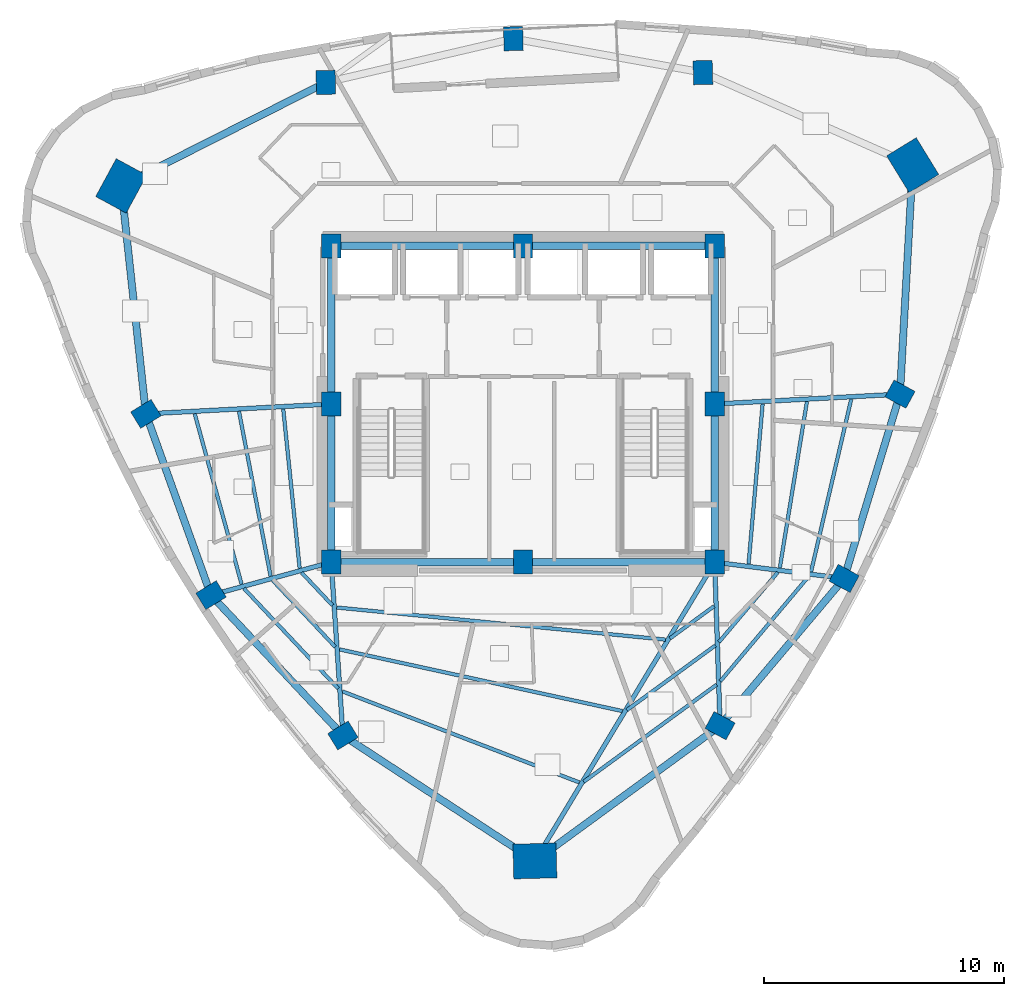
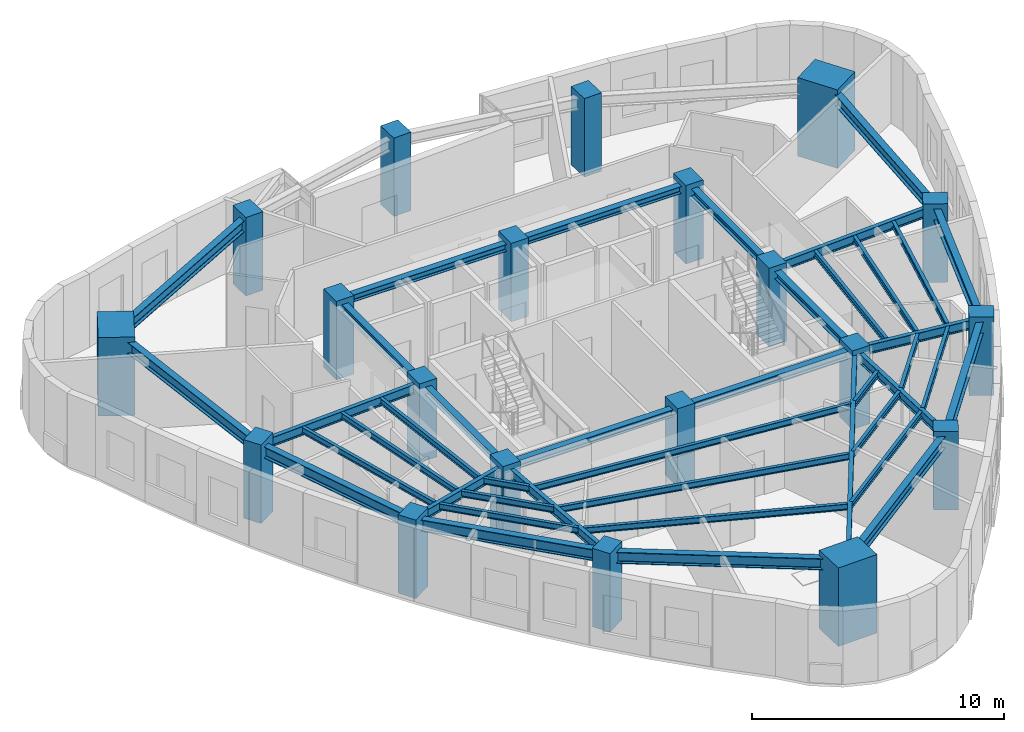
# One storey, part 1 of 11: 41 beams, 20 columns.
"""IFC4 building model written with IfcOpenShell, lengths in metres."""

from ifc_helpers import new_model, si_unit, direction, frame, origin, origin_2d, place, context, subcontext, project, spatial, rectangle, i_section, extrude, material, material_profile, profile_set, type_object, element, save


model = new_model("IFC4")

# Units and contexts
model_context = context("Model", 3, precision=1e-05, world=origin(), true_north=direction((0.0, 1.0)))
body_context = subcontext(model_context, "Body", "Model", "MODEL_VIEW")
ifc_project = project(units=[si_unit("LENGTHUNIT", "METRE"), si_unit("AREAUNIT", "SQUARE_METRE"), si_unit("VOLUMEUNIT", "CUBIC_METRE"), si_unit("PLANEANGLEUNIT", "RADIAN"), si_unit("MASSUNIT", "GRAM", prefix="KILO")], contexts=[model_context])

# Site, building, storey
site_placement = place(None, origin())
site = spatial("IfcSite", under=ifc_project, at=site_placement, CompositionType="ELEMENT")
building_placement = place(site_placement, origin())
building = spatial("IfcBuilding", under=site, at=building_placement, Name="Ndelora Gate Hotel", CompositionType="ELEMENT")
storey_placement = place(building_placement, frame((0.0, 0.0, 224.550048828125)))
storey = spatial("IfcBuildingStorey", under=building, at=storey_placement, Name="L56", CompositionType="ELEMENT", Elevation=224.550048828125)

# Columns
ifc_material_1 = material(Name="Concrete C50/60", Category="concrete")
ifc_material_profile_1 = material_profile(ifc_material_1, rectangle(XDim=0.800048828125, YDim=1.0, at=origin_2d()), Name="RC 1000x800")
ifc_profile_set_1 = profile_set([ifc_material_profile_1], Name="Concrete C50/60")
column_type_1 = type_object("IfcColumnType", Name="COL-CC-HI", PredefinedType="COLUMN", material=ifc_profile_set_1)
for number, where, z_axis, x_axis, name in (
    (1, (-8.0, -6.60009765625, 0.0), (0.0, 0.0, 1.0), (1.0, 0.0, 0.0), "L56 Core Column CC1"),
    (2, (0.0, -6.60009765625, 0.0), (0.0, 0.0, 1.0), (1.0, 0.0, 0.0), "L56 Core Column CC2"),
    (3, (8.0, -6.60009765625, 0.0), (0.0, 0.0, 1.0), (1.0, 0.0, 0.0), "L56 Core Column CC3"),
    (4, (8.0, 0.0, 0.0), (0.0, 0.0, 1.0), (1.0, 0.0, 0.0), "L56 Core Column CC4"),
    (5, (8.0, 6.60009765625, 0.0), (0.0, 0.0, 1.0), (1.0, 0.0, 0.0), "L56 Core Column CC5"),
    (6, (0.0, 6.60009765625, 0.0), (0.0, 0.0, 1.0), (1.0, 0.0, 0.0), "L56 Core Column CC6"),
    (7, (-8.0, 6.60009765625, 0.0), (0.0, 0.0, 1.0), (1.0, 0.0, 0.0), "L56 Core Column CC7"),
    (8, (-8.0, 0.0, 0.0), (0.0, 0.0, 1.0), (1.0, 0.0, 0.0), "L56 Core Column CC8"),
):
    element("IfcColumn", number, at=place(storey_placement, frame(where, z_axis=z_axis, x_axis=x_axis)), inside=storey, type_object=column_type_1, Name=name, PredefinedType="COLUMN", context=body_context, shape_type="SweptSolid", body=[
        extrude(rectangle(XDim=0.800048828125, YDim=1.0, at=origin_2d()), origin(), (0.0, 0.0, 1.0), 3.800048828125),
    ])
ifc_material_profile_2 = material_profile(ifc_material_1, rectangle(XDim=1.449951171875, YDim=1.800048828125, at=origin_2d()), Name="RC 1800x1450")
ifc_profile_set_2 = profile_set([ifc_material_profile_2], Name="Concrete C50/60")
column_type_2 = type_object("IfcColumnType", Name="COL-MC-Z3", PredefinedType="COLUMN", material=ifc_profile_set_2)
for number, where, z_axis, x_axis, name in (
    (9, (-16.759521484375, 9.099609375, 0.0), (0.0, 0.0, 1.0), (-0.878817112662, 0.47715876026, 0.0), "L56 Corner Mega-Column R1"),
    (10, (0.499267578125, -19.064208984375, 0.0), (0.0, 0.0, 1.0), (-0.026176948308, 0.999657324976, 0.0), "L56 Corner Mega-Column R5"),
    (11, (16.26025390625, 9.96435546875, 0.0), (0.0, 0.0, 1.0), (0.852640164354, 0.522498564716, 0.0), "L56 Corner Mega-Column R9"),
):
    element("IfcColumn", number, at=place(storey_placement, frame(where, z_axis=z_axis, x_axis=x_axis)), inside=storey, type_object=column_type_2, Name=name, PredefinedType="COLUMN", context=body_context, shape_type="SweptSolid", body=[
        extrude(rectangle(XDim=1.449951171875, YDim=1.800048828125, at=origin_2d()), origin(), (0.0, 0.0, 1.0), 3.800048828125),
    ])
ifc_material_profile_3 = material_profile(ifc_material_1, rectangle(XDim=0.800048828125, YDim=1.0, at=origin_2d()), Name="RC 1000x800")
ifc_profile_set_3 = profile_set([ifc_material_profile_3], Name="Concrete C50/60")
column_type_3 = type_object("IfcColumnType", Name="COL-PT-Z3", PredefinedType="COLUMN", material=ifc_profile_set_3)
for number, where, z_axis, x_axis, name in (
    (12, (-15.72998046875, -0.411865234375, 0.0), (0.0, 0.0, 1.0), (-0.522498564716, 0.852640164354, 0.0), "L56 Perimeter Tube Column R2"),
    (13, (-13.011962890625, -7.973876953125, 0.0), (0.0, 0.0, 1.0), (-0.522498564716, 0.852640164354, 0.0), "L56 Perimeter Tube Column R3"),
    (14, (-7.50830078125, -13.828369140625, 0.0), (0.0, 0.0, 1.0), (-0.522498564716, 0.852640164354, 0.0), "L56 Perimeter Tube Column R4"),
    (15, (8.223876953125, -13.419921875, 0.0), (0.0, 0.0, 1.0), (0.47715876026, 0.878817112662, 0.0), "L56 Perimeter Tube Column R6"),
    (16, (13.400390625, -7.275634765625, 0.0), (0.0, 0.0, 1.0), (0.47715876026, 0.878817112662, 0.0), "L56 Perimeter Tube Column R7"),
    (17, (15.72998046875, 0.411865234375, 0.0), (0.0, 0.0, 1.0), (0.47715876026, 0.878817112662, 0.0), "L56 Perimeter Tube Column R8"),
    (18, (7.50830078125, 13.828369140625, 0.0), (0.0, 0.0, 1.0), (0.999657324976, 0.026176948308, 0.0), "L56 Perimeter Tube Column R10"),
    (19, (-0.399169921875, 15.242919921875, 0.0), (0.0, 0.0, 1.0), (0.999657324976, 0.026176948308, 0.0), "L56 Perimeter Tube Column R11"),
    (20, (-8.2216796875, 13.41650390625, 0.0), (0.0, 0.0, 1.0), (0.999657324976, 0.026176948308, 0.0), "L56 Perimeter Tube Column R12"),
):
    element("IfcColumn", number, at=place(storey_placement, frame(where, z_axis=z_axis, x_axis=x_axis)), inside=storey, type_object=column_type_3, Name=name, PredefinedType="COLUMN", context=body_context, shape_type="SweptSolid", body=[
        extrude(rectangle(XDim=0.800048828125, YDim=1.0, at=origin_2d()), origin(), (0.0, 0.0, 1.0), 3.800048828125),
    ])

# Beams
ifc_material_2 = material(Name="Steel S355", Category="steel")
ifc_material_profile_4 = material_profile(ifc_material_2, i_section(OverallWidth=0.300048828125, OverallDepth=0.35009765625, WebThickness=0.010009765625, FlangeThickness=0.017578125, FilletRadius=0.027099609375, at=origin_2d()), Name="HEA 360")
ifc_profile_set_4 = profile_set([ifc_material_profile_4], Name="Steel S355")
beam_type_1 = type_object("IfcBeamType", Name="BM-CORE-350", PredefinedType="BEAM", material=ifc_profile_set_4)
for number, where, z_axis, x_axis, name in (
    (21, (-8.0, 6.60009765625, 3.375), (1.0, 0.0, 0.0), (0.0, 1.0, 0.0), "L56 Core Tie Girder CC7-CC6"),
    (22, (0.0, 6.60009765625, 3.375), (1.0, 0.0, 0.0), (0.0, 1.0, 0.0), "L56 Core Tie Girder CC6-CC5"),
):
    element("IfcBeam", number, at=place(storey_placement, frame(where, z_axis=z_axis, x_axis=x_axis)), inside=storey, type_object=beam_type_1, Name=name, PredefinedType="BEAM", context=body_context, shape_type="SweptSolid", body=[
        extrude(i_section(OverallWidth=0.300048828125, OverallDepth=0.35009765625, WebThickness=0.010009765625, FlangeThickness=0.017578125, FilletRadius=0.027099609375, at=origin_2d()), origin(), (0.0, 0.0, 1.0), 8.0),
    ])
for number, where, z_axis, x_axis, name in (
    (23, (-8.0, -6.60009765625, 3.375), (0.0, 1.0, 0.0), (-1.0, 0.0, 0.0), "L56 Core Tie Girder CC1-CC8"),
    (24, (-8.0, 0.0, 3.375), (0.0, 1.0, 0.0), (-1.0, 0.0, 0.0), "L56 Core Tie Girder CC8-CC7"),
    (25, (8.0, -6.60009765625, 3.375), (0.0, 1.0, 0.0), (-1.0, 0.0, 0.0), "L56 Core Tie Girder CC3-CC4"),
    (26, (8.0, 0.0, 3.375), (0.0, 1.0, 0.0), (-1.0, 0.0, 0.0), "L56 Core Tie Girder CC4-CC5"),
):
    element("IfcBeam", number, at=place(storey_placement, frame(where, z_axis=z_axis, x_axis=x_axis)), inside=storey, type_object=beam_type_1, Name=name, PredefinedType="BEAM", context=body_context, shape_type="SweptSolid", body=[
        extrude(i_section(OverallWidth=0.300048828125, OverallDepth=0.35009765625, WebThickness=0.010009765625, FlangeThickness=0.017578125, FilletRadius=0.027099609375, at=origin_2d()), origin(), (0.0, 0.0, 1.0), 6.60009765625),
    ])
for number, where, z_axis, x_axis, name in (
    (27, (-8.0, -6.60009765625, 3.375), (1.0, 0.0, 0.0), (0.0, 1.0, 0.0), "L56 Core Tie Girder CC1-CC2"),
    (28, (0.0, -6.60009765625, 3.375), (1.0, 0.0, 0.0), (0.0, 1.0, 0.0), "L56 Core Tie Girder CC2-CC3"),
):
    element("IfcBeam", number, at=place(storey_placement, frame(where, z_axis=z_axis, x_axis=x_axis)), inside=storey, type_object=beam_type_1, Name=name, PredefinedType="BEAM", context=body_context, shape_type="SweptSolid", body=[
        extrude(i_section(OverallWidth=0.300048828125, OverallDepth=0.35009765625, WebThickness=0.010009765625, FlangeThickness=0.017578125, FilletRadius=0.027099609375, at=origin_2d()), origin(), (0.0, 0.0, 1.0), 8.0),
    ])
ifc_material_profile_5 = material_profile(ifc_material_2, i_section(OverallWidth=0.14990234375, OverallDepth=0.300048828125, WebThickness=0.007080078125, FlangeThickness=0.0107421875, FilletRadius=0.014892578125, at=origin_2d()), Name="IPE 300")
ifc_profile_set_5 = profile_set([ifc_material_profile_5], Name="Steel S355")
beam_type_2 = type_object("IfcBeamType", Name="BM-JST-300", PredefinedType="JOIST", material=ifc_profile_set_5)
beam_1_placement = place(storey_placement, frame((-9.9990234375, -0.21142578125, 3.39990234375), z_axis=(0.10260596827, -0.994722079415, 0.0), x_axis=(0.994722079415, 0.10260596827, 0.0)))
element("IfcBeam", 29, at=beam_1_placement, inside=storey, type_object=beam_type_2, Name="L56 Secondary Composite Floor Joist IN-2", PredefinedType="JOIST", context=body_context, shape_type="SweptSolid", body=[
    extrude(i_section(OverallWidth=0.14990234375, OverallDepth=0.300048828125, WebThickness=0.007080078125, FlangeThickness=0.0107421875, FilletRadius=0.014892578125, at=origin_2d()), origin(), (0.0, 0.0, 1.0), 6.676513671875),
])
beam_2_placement = place(storey_placement, frame((-11.84521484375, -0.30908203125, 3.39990234375), z_axis=(0.188470955684, -0.982078764083, 0.0), x_axis=(0.982078764083, 0.188470955684, 0.0)))
element("IfcBeam", 30, at=beam_2_placement, inside=storey, type_object=beam_type_2, Name="L56 Secondary Composite Floor Joist MID-2", PredefinedType="JOIST", context=body_context, shape_type="SweptSolid", body=[
    extrude(i_section(OverallWidth=0.14990234375, OverallDepth=0.300048828125, WebThickness=0.007080078125, FlangeThickness=0.0107421875, FilletRadius=0.014892578125, at=origin_2d()), origin(), (0.0, 0.0, 1.0), 7.000244140625),
])
beam_3_placement = place(storey_placement, frame((-13.6923828125, -0.406005859375, 3.39990234375), z_axis=(0.2652180483, -0.964188460238, 0.0), x_axis=(0.964188460238, 0.2652180483, 0.0)))
element("IfcBeam", 31, at=beam_3_placement, inside=storey, type_object=beam_type_2, Name="L56 Secondary Composite Floor Joist OUT-2", PredefinedType="JOIST", context=body_context, shape_type="SweptSolid", body=[
    extrude(i_section(OverallWidth=0.14990234375, OverallDepth=0.300048828125, WebThickness=0.007080078125, FlangeThickness=0.0107421875, FilletRadius=0.014892578125, at=origin_2d()), origin(), (0.0, 0.0, 1.0), 7.37353515625),
])
beam_4_placement = place(storey_placement, frame((-9.231201171875, -7.03369140625, 3.39990234375), z_axis=(0.684943115963, -0.728596546722, 0.0), x_axis=(0.728596546722, 0.684943115963, 0.0)))
element("IfcBeam", 32, at=beam_4_placement, inside=storey, type_object=beam_type_2, Name="L56 Secondary Composite Floor Joist IN-3", PredefinedType="JOIST", context=body_context, shape_type="SweptSolid", body=[
    extrude(i_section(OverallWidth=0.14990234375, OverallDepth=0.300048828125, WebThickness=0.007080078125, FlangeThickness=0.0107421875, FilletRadius=0.014892578125, at=origin_2d()), origin(), (0.0, 0.0, 1.0), 1.879150390625),
])
beam_5_placement = place(storey_placement, frame((-10.43408203125, -7.36328125, 3.39990234375), z_axis=(0.684938600536, -0.728600791584, 0.0), x_axis=(0.728600791584, 0.684938600536, 0.0)))
element("IfcBeam", 33, at=beam_5_placement, inside=storey, type_object=beam_type_2, Name="L56 Secondary Composite Floor Joist MID-3", PredefinedType="JOIST", context=body_context, shape_type="SweptSolid", body=[
    extrude(i_section(OverallWidth=0.14990234375, OverallDepth=0.300048828125, WebThickness=0.007080078125, FlangeThickness=0.0107421875, FilletRadius=0.014892578125, at=origin_2d()), origin(), (0.0, 0.0, 1.0), 3.807861328125),
])
beam_6_placement = place(storey_placement, frame((-11.636962890625, -7.693115234375, 3.39990234375), z_axis=(0.68493576734, -0.728603454986, 0.0), x_axis=(0.728603454986, 0.68493576734, 0.0)))
element("IfcBeam", 34, at=beam_6_placement, inside=storey, type_object=beam_type_2, Name="L56 Secondary Composite Floor Joist OUT-3", PredefinedType="JOIST", context=body_context, shape_type="SweptSolid", body=[
    extrude(i_section(OverallWidth=0.14990234375, OverallDepth=0.300048828125, WebThickness=0.007080078125, FlangeThickness=0.0107421875, FilletRadius=0.014892578125, at=origin_2d()), origin(), (0.0, 0.0, 1.0), 5.736328125),
])
beam_7_placement = place(storey_placement, frame((-7.767578125, -8.489501953125, 3.39990234375), z_axis=(0.995253727902, -0.097314012848, 0.0), x_axis=(0.097314012848, 0.995253727902, 0.0)))
element("IfcBeam", 35, at=beam_7_placement, inside=storey, type_object=beam_type_2, Name="L56 Secondary Composite Floor Joist IN-4", PredefinedType="JOIST", context=body_context, shape_type="SweptSolid", body=[
    extrude(i_section(OverallWidth=0.14990234375, OverallDepth=0.300048828125, WebThickness=0.007080078125, FlangeThickness=0.0107421875, FilletRadius=0.014892578125, at=origin_2d()), origin(), (0.0, 0.0, 1.0), 13.7783203125),
])
beam_8_placement = place(storey_placement, frame((-7.651611328125, -10.236572265625, 3.39990234375), z_axis=(0.977032906758, -0.213088477191, 0.0), x_axis=(0.213088477191, 0.977032906758, 0.0)))
element("IfcBeam", 36, at=beam_8_placement, inside=storey, type_object=beam_type_2, Name="L56 Secondary Composite Floor Joist MID-4", PredefinedType="JOIST", context=body_context, shape_type="SweptSolid", body=[
    extrude(i_section(OverallWidth=0.14990234375, OverallDepth=0.300048828125, WebThickness=0.007080078125, FlangeThickness=0.0107421875, FilletRadius=0.014892578125, at=origin_2d()), origin(), (0.0, 0.0, 1.0), 12.075927734375),
])
beam_9_placement = place(storey_placement, frame((-7.5380859375, -11.98681640625, 3.39990234375), z_axis=(0.933489266504, -0.358605339227, 0.0), x_axis=(0.358605339227, 0.933489266504, 0.0)))
element("IfcBeam", 37, at=beam_9_placement, inside=storey, type_object=beam_type_2, Name="L56 Secondary Composite Floor Joist OUT-4", PredefinedType="JOIST", context=body_context, shape_type="SweptSolid", body=[
    extrude(i_section(OverallWidth=0.14990234375, OverallDepth=0.300048828125, WebThickness=0.007080078125, FlangeThickness=0.0107421875, FilletRadius=0.014892578125, at=origin_2d()), origin(), (0.0, 0.0, 1.0), 10.593994140625),
])
beam_10_placement = place(storey_placement, frame((6.134521484375, -9.77880859375, 3.39990234375), z_axis=(0.80739897839, 0.590005838696, 0.0), x_axis=(-0.590005838696, 0.80739897839, 0.0)))
element("IfcBeam", 38, at=beam_10_placement, inside=storey, type_object=beam_type_2, Name="L56 Secondary Composite Floor Joist IN-5", PredefinedType="JOIST", context=body_context, shape_type="SweptSolid", body=[
    extrude(i_section(OverallWidth=0.14990234375, OverallDepth=0.300048828125, WebThickness=0.007080078125, FlangeThickness=0.0107421875, FilletRadius=0.014892578125, at=origin_2d()), origin(), (0.0, 0.0, 1.0), 2.277587890625),
])
beam_11_placement = place(storey_placement, frame((4.33447265625, -12.77001953125, 3.39990234375), z_axis=(0.807439047151, 0.589951002318, 0.0), x_axis=(-0.589951002318, 0.807439047151, 0.0)))
element("IfcBeam", 39, at=beam_11_placement, inside=storey, type_object=beam_type_2, Name="L56 Secondary Composite Floor Joist MID-5", PredefinedType="JOIST", context=body_context, shape_type="SweptSolid", body=[
    extrude(i_section(OverallWidth=0.14990234375, OverallDepth=0.300048828125, WebThickness=0.007080078125, FlangeThickness=0.0107421875, FilletRadius=0.014892578125, at=origin_2d()), origin(), (0.0, 0.0, 1.0), 4.5732421875),
])
beam_12_placement = place(storey_placement, frame((2.5341796875, -15.761474609375, 3.39990234375), z_axis=(0.807430841486, 0.589962232874, 0.0), x_axis=(-0.589962232874, 0.807430841486, 0.0)))
element("IfcBeam", 40, at=beam_12_placement, inside=storey, type_object=beam_type_2, Name="L56 Secondary Composite Floor Joist OUT-5", PredefinedType="JOIST", context=body_context, shape_type="SweptSolid", body=[
    extrude(i_section(OverallWidth=0.14990234375, OverallDepth=0.300048828125, WebThickness=0.007080078125, FlangeThickness=0.0107421875, FilletRadius=0.014892578125, at=origin_2d()), origin(), (0.0, 0.0, 1.0), 6.869384765625),
])
beam_13_placement = place(storey_placement, frame((8.1796875, -9.9296875, 3.39990234375), z_axis=(0.644319387893, 0.764756514444, 0.0), x_axis=(-0.764756514444, 0.644319387893, 0.0)))
element("IfcBeam", 41, at=beam_13_placement, inside=storey, type_object=beam_type_2, Name="L56 Secondary Composite Floor Joist MID-6", PredefinedType="JOIST", context=body_context, shape_type="SweptSolid", body=[
    extrude(i_section(OverallWidth=0.14990234375, OverallDepth=0.300048828125, WebThickness=0.007080078125, FlangeThickness=0.0107421875, FilletRadius=0.014892578125, at=origin_2d()), origin(), (0.0, 0.0, 1.0), 3.806884765625),
])
beam_14_placement = place(storey_placement, frame((8.2333984375, -11.56640625, 3.39990234375), z_axis=(0.644324492463, 0.764752213735, 0.0), x_axis=(-0.764752213735, 0.644324492463, 0.0)))
element("IfcBeam", 42, at=beam_14_placement, inside=storey, type_object=beam_type_2, Name="L56 Secondary Composite Floor Joist OUT-6", PredefinedType="JOIST", context=body_context, shape_type="SweptSolid", body=[
    extrude(i_section(OverallWidth=0.14990234375, OverallDepth=0.300048828125, WebThickness=0.007080078125, FlangeThickness=0.0107421875, FilletRadius=0.014892578125, at=origin_2d()), origin(), (0.0, 0.0, 1.0), 5.735107421875),
])
beam_15_placement = place(storey_placement, frame((9.413330078125, -6.671142578125, 3.39990234375), z_axis=(0.087643872384, 0.996151871771, 0.0), x_axis=(-0.996151871771, 0.087643872384, 0.0)))
element("IfcBeam", 43, at=beam_15_placement, inside=storey, type_object=beam_type_2, Name="L56 Secondary Composite Floor Joist IN-7", PredefinedType="JOIST", context=body_context, shape_type="SweptSolid", body=[
    extrude(i_section(OverallWidth=0.14990234375, OverallDepth=0.300048828125, WebThickness=0.007080078125, FlangeThickness=0.0107421875, FilletRadius=0.014892578125, at=origin_2d()), origin(), (0.0, 0.0, 1.0), 6.699462890625),
])
beam_16_placement = place(storey_placement, frame((10.717041015625, -6.834228515625, 3.39990234375), z_axis=(0.160939239626, 0.986964316046, 0.0), x_axis=(-0.986964316046, 0.160939239626, 0.0)))
element("IfcBeam", 44, at=beam_16_placement, inside=storey, type_object=beam_type_2, Name="L56 Secondary Composite Floor Joist MID-7", PredefinedType="JOIST", context=body_context, shape_type="SweptSolid", body=[
    extrude(i_section(OverallWidth=0.14990234375, OverallDepth=0.300048828125, WebThickness=0.007080078125, FlangeThickness=0.0107421875, FilletRadius=0.014892578125, at=origin_2d()), origin(), (0.0, 0.0, 1.0), 7.028076171875),
])
beam_17_placement = place(storey_placement, frame((12.02001953125, -6.997802734375, 3.39990234375), z_axis=(0.22674518397, 0.973954116756, 0.0), x_axis=(-0.973954116756, 0.22674518397, 0.0)))
element("IfcBeam", 45, at=beam_17_placement, inside=storey, type_object=beam_type_2, Name="L56 Secondary Composite Floor Joist OUT-7", PredefinedType="JOIST", context=body_context, shape_type="SweptSolid", body=[
    extrude(i_section(OverallWidth=0.14990234375, OverallDepth=0.300048828125, WebThickness=0.007080078125, FlangeThickness=0.0107421875, FilletRadius=0.014892578125, at=origin_2d()), origin(), (0.0, 0.0, 1.0), 7.392822265625),
])
ifc_material_profile_6 = material_profile(ifc_material_2, i_section(OverallWidth=0.18994140625, OverallDepth=0.449951171875, WebThickness=0.009521484375, FlangeThickness=0.0146484375, FilletRadius=0.02099609375, at=origin_2d()), Name="IPE 450")
ifc_profile_set_6 = profile_set([ifc_material_profile_6], Name="Steel S355")
beam_type_3 = type_object("IfcBeamType", Name="BM-RAD-450", PredefinedType="BEAM", material=ifc_profile_set_6)
beam_18_placement = place(storey_placement, frame((-8.0, 0.0, 3.324951171875), z_axis=(-0.998583554121, -0.053206065814, 0.0), x_axis=(0.053206065814, -0.998583554121, 0.0)))
element("IfcBeam", 46, at=beam_18_placement, inside=storey, type_object=beam_type_3, Name="L56 Radial Floor Girder 2", PredefinedType="BEAM", context=body_context, shape_type="SweptSolid", body=[
    extrude(i_section(OverallWidth=0.18994140625, OverallDepth=0.449951171875, WebThickness=0.009521484375, FlangeThickness=0.0146484375, FilletRadius=0.02099609375, at=origin_2d()), origin(), (0.0, 0.0, 1.0), 7.740966796875),
])
beam_19_placement = place(storey_placement, frame((-8.0, -6.60009765625, 3.324951171875), z_axis=(-0.96442695542, -0.264349480157, 0.0), x_axis=(0.264349480157, -0.96442695542, 0.0)))
element("IfcBeam", 47, at=beam_19_placement, inside=storey, type_object=beam_type_3, Name="L56 Radial Floor Girder 3", PredefinedType="BEAM", context=body_context, shape_type="SweptSolid", body=[
    extrude(i_section(OverallWidth=0.18994140625, OverallDepth=0.449951171875, WebThickness=0.009521484375, FlangeThickness=0.0146484375, FilletRadius=0.02099609375, at=origin_2d()), origin(), (0.0, 0.0, 1.0), 5.19677734375),
])
beam_20_placement = place(storey_placement, frame((-8.0, -6.60009765625, 3.324951171875), z_axis=(0.067867612113, -0.997694335569, 0.0), x_axis=(0.997694335569, 0.067867612113, 0.0)))
element("IfcBeam", 48, at=beam_20_placement, inside=storey, type_object=beam_type_3, Name="L56 Radial Floor Girder 4", PredefinedType="BEAM", context=body_context, shape_type="SweptSolid", body=[
    extrude(i_section(OverallWidth=0.18994140625, OverallDepth=0.449951171875, WebThickness=0.009521484375, FlangeThickness=0.0146484375, FilletRadius=0.02099609375, at=origin_2d()), origin(), (0.0, 0.0, 1.0), 7.244873046875),
])
beam_21_placement = place(storey_placement, frame((8.0, -6.60009765625, 3.324951171875), z_axis=(-0.515620753203, -0.856816922607, 0.0), x_axis=(0.856816922607, -0.515620753203, 0.0)))
element("IfcBeam", 49, at=beam_21_placement, inside=storey, type_object=beam_type_3, Name="L56 Radial Floor Girder 5", PredefinedType="BEAM", context=body_context, shape_type="SweptSolid", body=[
    extrude(i_section(OverallWidth=0.18994140625, OverallDepth=0.449951171875, WebThickness=0.009521484375, FlangeThickness=0.0146484375, FilletRadius=0.02099609375, at=origin_2d()), origin(), (0.0, 0.0, 1.0), 14.546875),
])
beam_22_placement = place(storey_placement, frame((8.0, -6.60009765625, 3.324951171875), z_axis=(0.032809705109, -0.999461616697, 0.0), x_axis=(0.999461616697, 0.032809705109, 0.0)))
element("IfcBeam", 50, at=beam_22_placement, inside=storey, type_object=beam_type_3, Name="L56 Radial Floor Girder 6", PredefinedType="BEAM", context=body_context, shape_type="SweptSolid", body=[
    extrude(i_section(OverallWidth=0.18994140625, OverallDepth=0.449951171875, WebThickness=0.009521484375, FlangeThickness=0.0146484375, FilletRadius=0.02099609375, at=origin_2d()), origin(), (0.0, 0.0, 1.0), 6.823486328125),
])
beam_23_placement = place(storey_placement, frame((8.0, -6.60009765625, 3.324951171875), z_axis=(0.992266830725, -0.124123070552, 0.0), x_axis=(0.124123070552, 0.992266830725, 0.0)))
element("IfcBeam", 51, at=beam_23_placement, inside=storey, type_object=beam_type_3, Name="L56 Radial Floor Girder 7", PredefinedType="BEAM", context=body_context, shape_type="SweptSolid", body=[
    extrude(i_section(OverallWidth=0.18994140625, OverallDepth=0.449951171875, WebThickness=0.009521484375, FlangeThickness=0.0146484375, FilletRadius=0.02099609375, at=origin_2d()), origin(), (0.0, 0.0, 1.0), 5.4423828125),
])
beam_24_placement = place(storey_placement, frame((8.0, 0.0, 3.324951171875), z_axis=(0.998583554121, 0.053206065814, 0.0), x_axis=(-0.053206065814, 0.998583554121, 0.0)))
element("IfcBeam", 52, at=beam_24_placement, inside=storey, type_object=beam_type_3, Name="L56 Radial Floor Girder 8", PredefinedType="BEAM", context=body_context, shape_type="SweptSolid", body=[
    extrude(i_section(OverallWidth=0.18994140625, OverallDepth=0.449951171875, WebThickness=0.009521484375, FlangeThickness=0.0146484375, FilletRadius=0.02099609375, at=origin_2d()), origin(), (0.0, 0.0, 1.0), 7.740966796875),
])
ifc_material_profile_7 = material_profile(ifc_material_2, i_section(OverallWidth=0.300048828125, OverallDepth=0.550048828125, WebThickness=0.014892578125, FlangeThickness=0.029052734375, FilletRadius=0.027099609375, at=origin_2d()), Name="HEB 550")
ifc_profile_set_7 = profile_set([ifc_material_profile_7], Name="Steel S355")
beam_type_4 = type_object("IfcBeamType", Name="BM-RING-550", PredefinedType="SPANDREL", material=ifc_profile_set_7)
beam_25_placement = place(storey_placement, frame((-16.759521484375, 9.099609375, 3.27490234375), z_axis=(0.107613416645, -0.994192814578, 0.0), x_axis=(0.994192814578, 0.107613416645, 0.0)))
element("IfcBeam", 53, at=beam_25_placement, inside=storey, type_object=beam_type_4, Name="L56 Perimeter Spandrel Girder 1", PredefinedType="SPANDREL", context=body_context, shape_type="SweptSolid", body=[
    extrude(i_section(OverallWidth=0.300048828125, OverallDepth=0.550048828125, WebThickness=0.014892578125, FlangeThickness=0.029052734375, FilletRadius=0.027099609375, at=origin_2d()), origin(), (0.0, 0.0, 1.0), 9.567138671875),
])
beam_26_placement = place(storey_placement, frame((-15.72998046875, -0.411865234375, 3.27490234375), z_axis=(0.338244972382, -0.941058095262, 0.0), x_axis=(0.941058095262, 0.338244972382, 0.0)))
element("IfcBeam", 54, at=beam_26_placement, inside=storey, type_object=beam_type_4, Name="L56 Perimeter Spandrel Girder 2", PredefinedType="SPANDREL", context=body_context, shape_type="SweptSolid", body=[
    extrude(i_section(OverallWidth=0.300048828125, OverallDepth=0.550048828125, WebThickness=0.014892578125, FlangeThickness=0.029052734375, FilletRadius=0.027099609375, at=origin_2d()), origin(), (0.0, 0.0, 1.0), 8.03564453125),
])
beam_27_placement = place(storey_placement, frame((-13.011962890625, -7.973876953125, 3.27490234375), z_axis=(0.684939043371, -0.728600375285, 0.0), x_axis=(0.728600375285, 0.684939043371, 0.0)))
element("IfcBeam", 55, at=beam_27_placement, inside=storey, type_object=beam_type_4, Name="L56 Perimeter Spandrel Girder 3", PredefinedType="SPANDREL", context=body_context, shape_type="SweptSolid", body=[
    extrude(i_section(OverallWidth=0.300048828125, OverallDepth=0.550048828125, WebThickness=0.014892578125, FlangeThickness=0.029052734375, FilletRadius=0.027099609375, at=origin_2d()), origin(), (0.0, 0.0, 1.0), 8.03515625),
])
beam_28_placement = place(storey_placement, frame((-7.50830078125, -13.828369140625, 3.27490234375), z_axis=(0.836963769915, -0.547258300851, 0.0), x_axis=(0.547258300851, 0.836963769915, 0.0)))
element("IfcBeam", 56, at=beam_28_placement, inside=storey, type_object=beam_type_4, Name="L56 Perimeter Spandrel Girder 4", PredefinedType="SPANDREL", context=body_context, shape_type="SweptSolid", body=[
    extrude(i_section(OverallWidth=0.300048828125, OverallDepth=0.550048828125, WebThickness=0.014892578125, FlangeThickness=0.029052734375, FilletRadius=0.027099609375, at=origin_2d()), origin(), (0.0, 0.0, 1.0), 9.5673828125),
])
beam_29_placement = place(storey_placement, frame((0.499267578125, -19.064208984375, 3.27490234375), z_axis=(0.807421980226, 0.58997436033, 0.0), x_axis=(-0.58997436033, 0.807421980226, 0.0)))
element("IfcBeam", 57, at=beam_29_placement, inside=storey, type_object=beam_type_4, Name="L56 Perimeter Spandrel Girder 5", PredefinedType="SPANDREL", context=body_context, shape_type="SweptSolid", body=[
    extrude(i_section(OverallWidth=0.300048828125, OverallDepth=0.550048828125, WebThickness=0.014892578125, FlangeThickness=0.029052734375, FilletRadius=0.027099609375, at=origin_2d()), origin(), (0.0, 0.0, 1.0), 9.56689453125),
])
beam_30_placement = place(storey_placement, frame((8.223876953125, -13.419921875, 3.27490234375), z_axis=(0.644308845181, 0.764765396721, 0.0), x_axis=(-0.764765396721, 0.644308845181, 0.0)))
element("IfcBeam", 58, at=beam_30_placement, inside=storey, type_object=beam_type_4, Name="L56 Perimeter Spandrel Girder 6", PredefinedType="SPANDREL", context=body_context, shape_type="SweptSolid", body=[
    extrude(i_section(OverallWidth=0.300048828125, OverallDepth=0.550048828125, WebThickness=0.014892578125, FlangeThickness=0.029052734375, FilletRadius=0.027099609375, at=origin_2d()), origin(), (0.0, 0.0, 1.0), 8.0341796875),
])
beam_31_placement = place(storey_placement, frame((13.400390625, -7.275634765625, 3.27490234375), z_axis=(0.290012456561, 0.957022870698, 0.0), x_axis=(-0.957022870698, 0.290012456561, 0.0)))
element("IfcBeam", 59, at=beam_31_placement, inside=storey, type_object=beam_type_4, Name="L56 Perimeter Spandrel Girder 7", PredefinedType="SPANDREL", context=body_context, shape_type="SweptSolid", body=[
    extrude(i_section(OverallWidth=0.300048828125, OverallDepth=0.550048828125, WebThickness=0.014892578125, FlangeThickness=0.029052734375, FilletRadius=0.027099609375, at=origin_2d()), origin(), (0.0, 0.0, 1.0), 8.03271484375),
])
for number, where, z_axis, x_axis, name in (
    (60, (15.72998046875, 0.411865234375, 3.27490234375), (0.055426206248, 0.998462786318, 0.0), (-0.998462786318, 0.055426206248, 0.0), "L56 Perimeter Spandrel Girder 8"),
    (61, (-8.2216796875, 13.41650390625, 3.27490234375), (-0.89241242978, -0.451220628045, 0.0), (0.451220628045, -0.89241242978, 0.0), "L56 Perimeter Spandrel Girder 12"),
):
    element("IfcBeam", number, at=place(storey_placement, frame(where, z_axis=z_axis, x_axis=x_axis)), inside=storey, type_object=beam_type_4, Name=name, PredefinedType="SPANDREL", context=body_context, shape_type="SweptSolid", body=[
        extrude(i_section(OverallWidth=0.300048828125, OverallDepth=0.550048828125, WebThickness=0.014892578125, FlangeThickness=0.029052734375, FilletRadius=0.027099609375, at=origin_2d()), origin(), (0.0, 0.0, 1.0), 9.567138671875),
    ])

save(model, "model.ifc")
